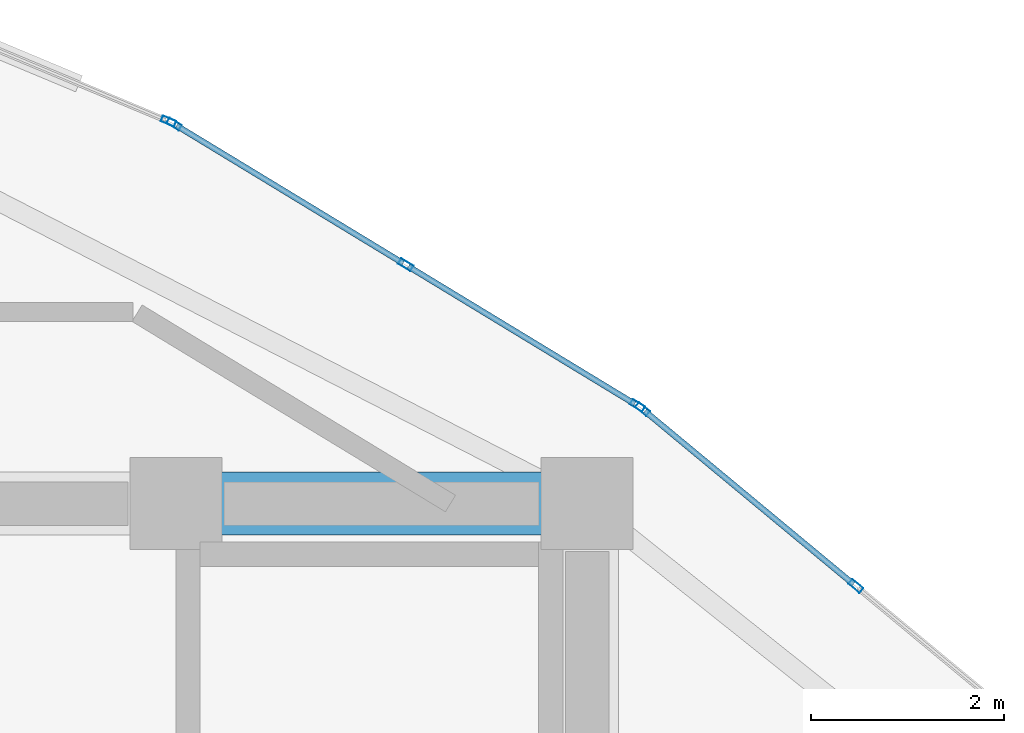
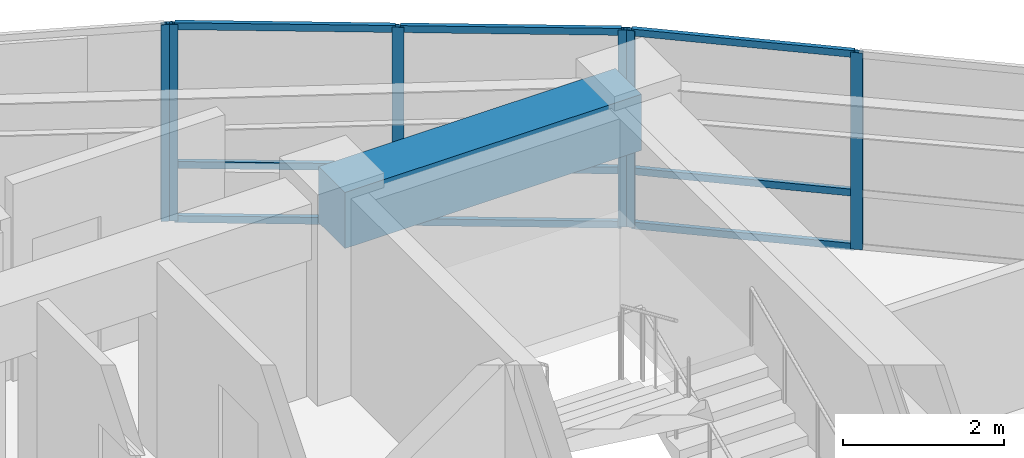
# One storey, part 10 of 14: 15 members, 1 beam, 3 elements without a shape of their own.
"""IFC4 building model written with IfcOpenShell, lengths in metres."""

import ifcopenshell
import ifcopenshell.guid

model = None  # the IFC model being written
_history = None  # IfcOwnerHistory: only IFC2X3 demands one
_inside = {}  # id of a spatial element -> (the spatial element, [elements in it])
_under = {}  # id of a project, library or spatial element -> (it, [spatial elements below it])
_declared = {}  # id of a project -> (the project, [libraries it declares])
_typed = {}  # id of a type object -> (the type object, [elements of that type])
_made_of = {}  # id of a material, layer set ... -> (it, [elements and type objects made of it])


def new_model(schema):
    """Start an empty IFC model of exactly this schema.

    Asked for "IFC4X3", IfcOpenShell would pick the latest addendum, in which some entities
    have other attributes; the version numbers below select the first issue.
    IFC2X3 requires an IfcOwnerHistory on every rooted entity: one is made here for all.
    """
    global model, _history
    if schema == "IFC4X3":
        model = ifcopenshell.file(schema_version=(4, 3, 0, 0))
    else:
        model = ifcopenshell.file(schema=schema)
    _inside.clear()
    _under.clear()
    _declared.clear()
    _typed.clear()
    _made_of.clear()
    _history = None
    if model.schema == "IFC2X3":
        org = make("IfcOrganization", Name="unknown")
        user = make(
            "IfcPersonAndOrganization",
            ThePerson=make("IfcPerson", FamilyName="unknown"),
            TheOrganization=org,
        )
        app = make(
            "IfcApplication",
            ApplicationDeveloper=org,
            Version="unknown",
            ApplicationFullName="unknown",
            ApplicationIdentifier="unknown",
        )
        _history = make(
            "IfcOwnerHistory",
            OwningUser=user,
            OwningApplication=app,
            ChangeAction="ADDED",
            CreationDate=0,
        )
    return model


def make(cls, **values):
    """One entity of the class cls with the attributes given. An attribute that is None is left unset."""
    return model.create_entity(
        cls, **{name: value for name, value in values.items() if value is not None}
    )


def rooted(cls, **values):
    """An entity with a GlobalId (a new one), such as an element, a storey or a relation."""
    return make(cls, GlobalId=ifcopenshell.guid.new(), OwnerHistory=_history, **values)


def si_unit(unit_type, name, prefix=None):
    """IfcSIUnit, for example si_unit("LENGTHUNIT", "METRE", prefix="MILLI")."""
    return make("IfcSIUnit", UnitType=unit_type, Prefix=prefix, Name=name)


def assignment(units):
    """IfcUnitAssignment: the units of a project."""
    return None if units is None else make("IfcUnitAssignment", Units=units)


def point(xyz):
    """IfcCartesianPoint."""
    return None if xyz is None else make("IfcCartesianPoint", Coordinates=xyz)


def direction(xyz):
    """IfcDirection."""
    return None if xyz is None else make("IfcDirection", DirectionRatios=xyz)


def frame(location, z_axis=None, x_axis=None):
    """IfcAxis2Placement3D, a coordinate frame: its origin and axes. An axis left out is left unset."""
    return make(
        "IfcAxis2Placement3D",
        Location=point(location),
        Axis=direction(z_axis),
        RefDirection=direction(x_axis),
    )


def frame_2d(location, x_axis=None):
    """IfcAxis2Placement2D, a coordinate frame in the plane: its origin and x axis."""
    return make(
        "IfcAxis2Placement2D", Location=point(location), RefDirection=direction(x_axis)
    )


def origin():
    """The frame at (0, 0, 0) with its axes left unset."""
    return frame((0.0, 0.0, 0.0))


def origin_2d():
    """The frame at (0, 0) in the plane with its x axis left unset."""
    return frame_2d((0.0, 0.0))


def place(relative_to, where):
    """IfcLocalPlacement: puts the frame where relative to a parent placement (None: the world)."""
    return make(
        "IfcLocalPlacement", PlacementRelTo=relative_to, RelativePlacement=where
    )


def context(
    kind, dimensions, precision=None, world=None, true_north=None, identifier=None
):
    """IfcGeometricRepresentationContext, for example the 3D "Model" context."""
    return make(
        "IfcGeometricRepresentationContext",
        ContextIdentifier=identifier,
        ContextType=kind,
        CoordinateSpaceDimension=dimensions,
        Precision=precision,
        WorldCoordinateSystem=world,
        TrueNorth=true_north,
    )


def subcontext(parent, identifier, kind, view, scale=None):
    """IfcGeometricRepresentationSubContext, for example "Body" below "Model"."""
    return make(
        "IfcGeometricRepresentationSubContext",
        ContextIdentifier=identifier,
        ContextType=kind,
        ParentContext=parent,
        TargetScale=scale,
        TargetView=view,
    )


def project(units=None, contexts=None):
    """IfcProject with its units and contexts."""
    return rooted(
        "IfcProject",
        Name="project",
        RepresentationContexts=contexts,
        UnitsInContext=assignment(units),
    )


def spatial(cls, under=None, at=None, **own):
    """A site, building, storey or space (cls), placed at a placement, below another one or the project."""
    s = rooted(cls, ObjectPlacement=at, **own)
    if under is not None:
        _under.setdefault(under.id(), (under, []))[1].append(s)
    return s


def profile(cls, at=None, kind="AREA", **sizes):
    """A parametric profile (cls). Its sizes go by their IFC names, for example OverallWidth=200.0."""
    return make(cls, ProfileType=kind, Position=at, **sizes)


def rectangle(**sizes):
    """IfcRectangleProfileDef."""
    return profile("IfcRectangleProfileDef", **sizes)


def hollow_rectangle(**sizes):
    """IfcRectangleHollowProfileDef."""
    return profile("IfcRectangleHollowProfileDef", **sizes)


def extrude(swept, where, along, depth):
    """IfcExtrudedAreaSolid: the profile swept, set in the frame where, extruded along a direction by depth."""
    return make(
        "IfcExtrudedAreaSolid",
        SweptArea=swept,
        Position=where,
        ExtrudedDirection=direction(along),
        Depth=depth,
    )


def shape(context_of_items, identifier, shape_type, items):
    """IfcShapeRepresentation: the items that make up one representation, for example the "Body"."""
    return make(
        "IfcShapeRepresentation",
        ContextOfItems=context_of_items,
        RepresentationIdentifier=identifier,
        RepresentationType=shape_type,
        Items=items,
    )


def material(Name=None, Category=None):
    """IfcMaterial."""
    return make("IfcMaterial", Name=Name, Category=Category)


def layer(
    of_material, thickness, ventilated=None, Name=None, Category=None, Priority=None
):
    """IfcMaterialLayer: one layer of a wall or slab, of a material (None: an air gap)."""
    return make(
        "IfcMaterialLayer",
        Material=of_material,
        LayerThickness=thickness,
        IsVentilated=ventilated,
        Name=Name,
        Category=Category,
        Priority=Priority,
    )


def layer_set(layers, Name=None):
    """IfcMaterialLayerSet."""
    return make("IfcMaterialLayerSet", MaterialLayers=layers, LayerSetName=Name)


def material_profile(
    of_material, cross_section, Name=None, Category=None, Priority=None
):
    """IfcMaterialProfile: a cross section and its material."""
    return make(
        "IfcMaterialProfile",
        Name=Name,
        Material=of_material,
        Profile=cross_section,
        Priority=Priority,
        Category=Category,
    )


def profile_set(profiles, Name=None, composite=None):
    """IfcMaterialProfileSet."""
    return make(
        "IfcMaterialProfileSet",
        Name=Name,
        MaterialProfiles=profiles,
        CompositeProfile=composite,
    )


def made_of(thing, what):
    """Note that an element or type object is made of a material, layer set ...; save() writes the relation."""
    if what is not None:
        _made_of.setdefault(what.id(), (what, []))[1].append(thing)
    return thing


def type_object(cls, material=None, **own):
    """A type object (cls), such as IfcWallType, which elements share."""
    return made_of(rooted(cls, **own), material)


def element(
    cls,
    number,
    at=None,
    inside=None,
    cuts=None,
    type_object=None,
    material=None,
    context=None,
    identifier="Body",
    shape_type=None,
    held_by="IfcProductDefinitionShape",
    body=None,
    shapes=None,
    **own,
):
    """One element of the class cls, such as IfcWall. Its Tag is "e" and its number.

    at: its placement. inside: the storey or other place that contains it. cuts: it is an
    opening in that element (IfcRelVoidsElement). A single representation is given by context,
    identifier, shape_type and body (its items); several are given by shapes. held_by: the class
    of the entity that holds the representations. save() writes the other relations.
    """
    e = rooted(cls, Tag="e%d" % number, ObjectPlacement=at, **own)
    if body is not None:
        shapes = [shape(context, identifier, shape_type, body)]
    if shapes is not None:
        e.Representation = make(held_by, Representations=shapes)
    if inside is not None:
        _inside.setdefault(inside.id(), (inside, []))[1].append(e)
    if cuts is not None:
        rooted(
            "IfcRelVoidsElement", RelatingBuildingElement=cuts, RelatedOpeningElement=e
        )
    if type_object is not None:
        _typed.setdefault(type_object.id(), (type_object, []))[1].append(e)
    return made_of(e, material)


def aggregate(whole, parts):
    """IfcRelAggregates: a whole, such as a stair, and the parts it consists of."""
    return rooted("IfcRelAggregates", RelatingObject=whole, RelatedObjects=parts)


def save(model, path):
    """Write the relations noted so far, then the file.

    IfcRelAggregates (storeys below a building ...), IfcRelContainedInSpatialStructure (elements
    in a storey), IfcRelDefinesByType, IfcRelAssociatesMaterial and IfcRelDeclares: one each for
    every whole, place, type object, material and project.
    """
    for whole, parts in _under.values():
        aggregate(whole, parts)
    for where, things in _inside.values():
        rooted(
            "IfcRelContainedInSpatialStructure",
            RelatedElements=things,
            RelatingStructure=where,
        )
    for kind, things in _typed.values():
        rooted("IfcRelDefinesByType", RelatedObjects=things, RelatingType=kind)
    for what, things in _made_of.values():
        rooted("IfcRelAssociatesMaterial", RelatedObjects=things, RelatingMaterial=what)
    for by, libraries in _declared.values():
        rooted("IfcRelDeclares", RelatingContext=by, RelatedDefinitions=libraries)
    model.write(path)


model = new_model("IFC4")

# Units and contexts
model_context = context("Model", 3, precision=1e-05, world=origin(), true_north=direction((0.0, 1.0)))
body_context = subcontext(model_context, "Body", "Model", "MODEL_VIEW")
ifc_project = project(units=[si_unit("LENGTHUNIT", "METRE"), si_unit("AREAUNIT", "SQUARE_METRE"), si_unit("VOLUMEUNIT", "CUBIC_METRE"), si_unit("PLANEANGLEUNIT", "RADIAN"), si_unit("MASSUNIT", "GRAM", prefix="KILO")], contexts=[model_context])

# Site, building, storey
site_placement = place(None, origin())
site = spatial("IfcSite", under=ifc_project, at=site_placement, CompositionType="ELEMENT")
building_placement = place(site_placement, origin())
building = spatial("IfcBuilding", under=site, at=building_placement, Name="Menara Vayukalpa", CompositionType="ELEMENT")
storey_placement = place(building_placement, frame((0.0, 0.0, 302.419921875)))
storey = spatial("IfcBuildingStorey", under=building, at=storey_placement, Name="L77", CompositionType="ELEMENT", Elevation=302.419921875)

# Beam
ifc_material_1 = material(Name="Concrete C60/75", Category="concrete")
ifc_material_profile_1 = material_profile(ifc_material_1, rectangle(XDim=0.64990234375, YDim=0.85009765625, at=origin_2d()), Name="RC 650x850")
ifc_profile_set_1 = profile_set([ifc_material_profile_1], Name="Concrete C60/75")
beam_type = type_object("IfcBeamType", Name="BM-CB1", PredefinedType="BEAM", material=ifc_profile_set_1)
beam_placement = place(storey_placement, frame((29.14990234375, 26.800048828125, 2.55517578125), z_axis=(1.0, 0.0, 0.0), x_axis=(0.0, 1.0, 0.0)))
element("IfcBeam", 1, at=beam_placement, inside=storey, type_object=beam_type, Name="L77 Core Tie Beam CBR6", PredefinedType="BEAM", context=body_context, shape_type="SweptSolid", body=[
    extrude(rectangle(XDim=0.64990234375, YDim=0.85009765625, at=origin_2d()), origin(), (0.0, 0.0, 1.0), 4.25),
])

# Curtain wall, members
ifc_material_2 = material(Name="Anodised Terracotta Aluminium Alloy 6063-T6", Category="masonry")
ifc_layer = layer(ifc_material_2, 0.14990234375)
ifc_layer_set = layer_set([ifc_layer], Name="Anodised Terracotta Aluminium Alloy 6063-T6")
curtain_wall_type = type_object("IfcCurtainWallType", Name="CW-CW7", PredefinedType="USERDEFINED", material=ifc_layer_set)
curtain_wall_1_placement = place(storey_placement, origin())
curtain_wall_1 = element("IfcCurtainWall", 2, at=curtain_wall_1_placement, inside=storey, type_object=curtain_wall_type, Name="L77 Crown Drum Screened Curtain Wall CW7 03", ObjectType="UNITISED", PredefinedType="USERDEFINED")
ifc_material_3 = material(Name="Anodised Terracotta Aluminium Alloy 6063-T6", Category="masonry")
ifc_material_profile_2 = material_profile(ifc_material_3, hollow_rectangle(XDim=0.06494140625, YDim=0.14990234375, WallThickness=0.00341796875, at=origin_2d()), Name="ALU 65x150x3.5")
ifc_profile_set_2 = profile_set([ifc_material_profile_2], Name="Anodised Terracotta Aluminium Alloy 6063-T6")
member_type_1 = type_object("IfcMemberType", Name="CWM-CW7", PredefinedType="MULLION", material=ifc_profile_set_2)
member_1_placement = place(storey_placement, frame((36.1796875, 25.946533203125, 0.0), z_axis=(0.0, 0.0, 1.0), x_axis=(-0.63834658997, -0.7697490702, 0.0)))
member_1 = element("IfcMember", 3, at=member_1_placement, type_object=member_type_1, Name="CW7 mullion 2", PredefinedType="MULLION", context=body_context, shape_type="SweptSolid", body=[
    extrude(hollow_rectangle(XDim=0.06494140625, YDim=0.14990234375, WallThickness=0.00341796875, at=origin_2d()), origin(), (0.0, 0.0, 1.0), 2.97998046875),
])
member_2_placement = place(storey_placement, frame((33.9736328125, 27.776123046875, 0.0), z_axis=(0.0, 0.0, 1.0), x_axis=(-0.63834658997, -0.7697490702, 0.0)))
member_2 = element("IfcMember", 4, at=member_2_placement, type_object=member_type_1, Name="CW7 mullion 3", PredefinedType="MULLION", context=body_context, shape_type="SweptSolid", body=[
    extrude(hollow_rectangle(XDim=0.06494140625, YDim=0.14990234375, WallThickness=0.00341796875, at=origin_2d()), origin(), (0.0, 0.0, 1.0), 2.97998046875),
])

curtain_wall_2_placement = place(storey_placement, origin())
curtain_wall_2 = element("IfcCurtainWall", 5, at=curtain_wall_2_placement, inside=storey, type_object=curtain_wall_type, Name="L77 Crown Drum Screened Curtain Wall CW7 04", ObjectType="UNITISED", PredefinedType="USERDEFINED")
member_3_placement = place(storey_placement, frame((33.9208984375, 27.813720703125, 0.0), z_axis=(0.0, 0.0, 1.0), x_axis=(-0.519176441176, -0.854667083096, 0.0)))
member_3 = element("IfcMember", 6, at=member_3_placement, type_object=member_type_1, Name="CW7 mullion 1", PredefinedType="MULLION", context=body_context, shape_type="SweptSolid", body=[
    extrude(hollow_rectangle(XDim=0.06494140625, YDim=0.14990234375, WallThickness=0.00341796875, at=origin_2d()), origin(), (0.0, 0.0, 1.0), 2.97998046875),
])
member_4_placement = place(storey_placement, frame((31.525146484375, 29.26904296875, 0.0), z_axis=(0.0, 0.0, 1.0), x_axis=(-0.519176441176, -0.854667083096, 0.0)))
member_4 = element("IfcMember", 7, at=member_4_placement, type_object=member_type_1, Name="CW7 mullion 2", PredefinedType="MULLION", context=body_context, shape_type="SweptSolid", body=[
    extrude(hollow_rectangle(XDim=0.06494140625, YDim=0.14990234375, WallThickness=0.00341796875, at=origin_2d()), origin(), (0.0, 0.0, 1.0), 2.97998046875),
])
member_5_placement = place(storey_placement, frame((29.129638671875, 30.72412109375, 0.0), z_axis=(0.0, 0.0, 1.0), x_axis=(-0.519176441176, -0.854667083096, 0.0)))
member_5 = element("IfcMember", 8, at=member_5_placement, type_object=member_type_1, Name="CW7 mullion 3", PredefinedType="MULLION", context=body_context, shape_type="SweptSolid", body=[
    extrude(hollow_rectangle(XDim=0.06494140625, YDim=0.14990234375, WallThickness=0.00341796875, at=origin_2d()), origin(), (0.0, 0.0, 1.0), 2.97998046875),
])

# Curtain wall, member
curtain_wall_3_placement = place(storey_placement, origin())
curtain_wall_3 = element("IfcCurtainWall", 9, at=curtain_wall_3_placement, inside=storey, type_object=curtain_wall_type, Name="L77 Crown Drum Screened Curtain Wall CW7 05", ObjectType="UNITISED", PredefinedType="USERDEFINED")
member_6_placement = place(storey_placement, frame((29.07177734375, 30.753662109375, 0.0), z_axis=(0.0, 0.0, 1.0), x_axis=(-0.385898361946, -0.922541302191, 0.0)))
member_6 = element("IfcMember", 10, at=member_6_placement, type_object=member_type_1, Name="CW7 mullion 1", PredefinedType="MULLION", context=body_context, shape_type="SweptSolid", body=[
    extrude(hollow_rectangle(XDim=0.06494140625, YDim=0.14990234375, WallThickness=0.00341796875, at=origin_2d()), origin(), (0.0, 0.0, 1.0), 2.97998046875),
])
aggregate(curtain_wall_3, [member_6])

# Member
ifc_material_4 = material(Name="Anodised Terracotta Aluminium Alloy 6063-T6", Category="masonry")
ifc_material_profile_3 = material_profile(ifc_material_4, hollow_rectangle(XDim=0.06005859375, YDim=0.10498046875, WallThickness=0.0029296875, at=origin_2d()), Name="ALU 60x105x3")
ifc_profile_set_3 = profile_set([ifc_material_profile_3], Name="Anodised Terracotta Aluminium Alloy 6063-T6")
member_type_2 = type_object("IfcMemberType", Name="CWT-CW7", PredefinedType="USERDEFINED", material=ifc_profile_set_3)
member_7_placement = place(storey_placement, frame((36.15478515625, 25.96728515625, 0.030029296875), z_axis=(-0.769726621741, 0.638373658434, 0.0), x_axis=(-0.638373658434, -0.769726621741, 0.0)))
member_7 = element("IfcMember", 11, at=member_7_placement, type_object=member_type_2, Name="CW7 transom 2.1", ObjectType="TRANSOM", PredefinedType="USERDEFINED", context=body_context, shape_type="SweptSolid", body=[
    extrude(hollow_rectangle(XDim=0.06005859375, YDim=0.10498046875, WallThickness=0.0029296875, at=origin_2d()), origin(), (0.0, 0.0, 1.0), 2.801025390625),
])

member_8_placement = place(storey_placement, frame((36.15478515625, 25.96728515625, 0.85009765625), z_axis=(-0.769726621741, 0.638373658434, 0.0), x_axis=(-0.638373658434, -0.769726621741, 0.0)))
member_8 = element("IfcMember", 12, at=member_8_placement, type_object=member_type_2, Name="CW7 transom 2.2", ObjectType="TRANSOM", PredefinedType="USERDEFINED", context=body_context, shape_type="SweptSolid", body=[
    extrude(hollow_rectangle(XDim=0.06005859375, YDim=0.10498046875, WallThickness=0.0029296875, at=origin_2d()), origin(), (0.0, 0.0, 1.0), 2.801025390625),
])

member_9_placement = place(storey_placement, frame((36.15478515625, 25.96728515625, 2.9501953125), z_axis=(-0.769726621741, 0.638373658434, 0.0), x_axis=(-0.638373658434, -0.769726621741, 0.0)))
member_9 = element("IfcMember", 13, at=member_9_placement, type_object=member_type_2, Name="CW7 transom 2.3", ObjectType="TRANSOM", PredefinedType="USERDEFINED", context=body_context, shape_type="SweptSolid", body=[
    extrude(hollow_rectangle(XDim=0.06005859375, YDim=0.10498046875, WallThickness=0.0029296875, at=origin_2d()), origin(), (0.0, 0.0, 1.0), 2.801025390625),
])

aggregate(curtain_wall_1, [member_1, member_2, member_7, member_8, member_9])

member_10_placement = place(storey_placement, frame((33.89306640625, 27.83056640625, 0.030029296875), z_axis=(-0.854647628743, 0.519208465537, 0.0), x_axis=(-0.519208465537, -0.854647628743, 0.0)))
member_10 = element("IfcMember", 14, at=member_10_placement, type_object=member_type_2, Name="CW7 transom 1.1", ObjectType="TRANSOM", PredefinedType="USERDEFINED", context=body_context, shape_type="SweptSolid", body=[
    extrude(hollow_rectangle(XDim=0.06005859375, YDim=0.10498046875, WallThickness=0.0029296875, at=origin_2d()), origin(), (0.0, 0.0, 1.0), 2.738037109375),
])

member_11_placement = place(storey_placement, frame((33.89306640625, 27.83056640625, 0.85009765625), z_axis=(-0.854647628743, 0.519208465537, 0.0), x_axis=(-0.519208465537, -0.854647628743, 0.0)))
member_11 = element("IfcMember", 15, at=member_11_placement, type_object=member_type_2, Name="CW7 transom 1.2", ObjectType="TRANSOM", PredefinedType="USERDEFINED", context=body_context, shape_type="SweptSolid", body=[
    extrude(hollow_rectangle(XDim=0.06005859375, YDim=0.10498046875, WallThickness=0.0029296875, at=origin_2d()), origin(), (0.0, 0.0, 1.0), 2.738037109375),
])

member_12_placement = place(storey_placement, frame((33.89306640625, 27.83056640625, 2.9501953125), z_axis=(-0.854647628743, 0.519208465537, 0.0), x_axis=(-0.519208465537, -0.854647628743, 0.0)))
member_12 = element("IfcMember", 16, at=member_12_placement, type_object=member_type_2, Name="CW7 transom 1.3", ObjectType="TRANSOM", PredefinedType="USERDEFINED", context=body_context, shape_type="SweptSolid", body=[
    extrude(hollow_rectangle(XDim=0.06005859375, YDim=0.10498046875, WallThickness=0.0029296875, at=origin_2d()), origin(), (0.0, 0.0, 1.0), 2.738037109375),
])

member_13_placement = place(storey_placement, frame((31.49755859375, 29.285888671875, 0.030029296875), z_axis=(-0.854687194246, 0.519143332801, 0.0), x_axis=(-0.519143332801, -0.854687194246, 0.0)))
member_13 = element("IfcMember", 17, at=member_13_placement, type_object=member_type_2, Name="CW7 transom 2.1", ObjectType="TRANSOM", PredefinedType="USERDEFINED", context=body_context, shape_type="SweptSolid", body=[
    extrude(hollow_rectangle(XDim=0.06005859375, YDim=0.10498046875, WallThickness=0.0029296875, at=origin_2d()), origin(), (0.0, 0.0, 1.0), 2.738037109375),
])

member_14_placement = place(storey_placement, frame((31.49755859375, 29.285888671875, 0.85009765625), z_axis=(-0.854687194246, 0.519143332801, 0.0), x_axis=(-0.519143332801, -0.854687194246, 0.0)))
member_14 = element("IfcMember", 18, at=member_14_placement, type_object=member_type_2, Name="CW7 transom 2.2", ObjectType="TRANSOM", PredefinedType="USERDEFINED", context=body_context, shape_type="SweptSolid", body=[
    extrude(hollow_rectangle(XDim=0.06005859375, YDim=0.10498046875, WallThickness=0.0029296875, at=origin_2d()), origin(), (0.0, 0.0, 1.0), 2.738037109375),
])

member_15_placement = place(storey_placement, frame((31.49755859375, 29.285888671875, 2.9501953125), z_axis=(-0.854687194246, 0.519143332801, 0.0), x_axis=(-0.519143332801, -0.854687194246, 0.0)))
member_15 = element("IfcMember", 19, at=member_15_placement, type_object=member_type_2, Name="CW7 transom 2.3", ObjectType="TRANSOM", PredefinedType="USERDEFINED", context=body_context, shape_type="SweptSolid", body=[
    extrude(hollow_rectangle(XDim=0.06005859375, YDim=0.10498046875, WallThickness=0.0029296875, at=origin_2d()), origin(), (0.0, 0.0, 1.0), 2.738037109375),
])

aggregate(curtain_wall_2, [member_3, member_4, member_5, member_10, member_11, member_12, member_13, member_14, member_15])

save(model, "model.ifc")
